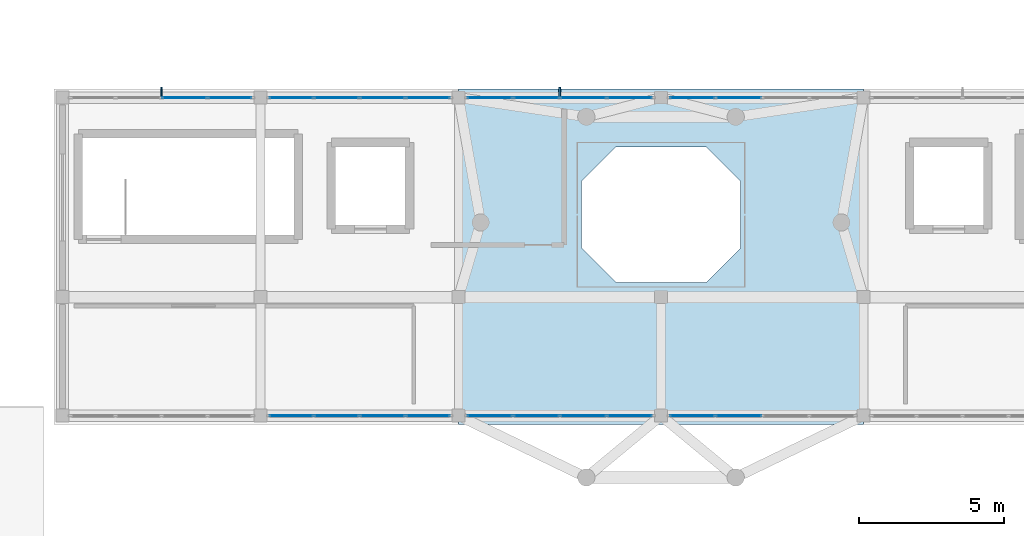
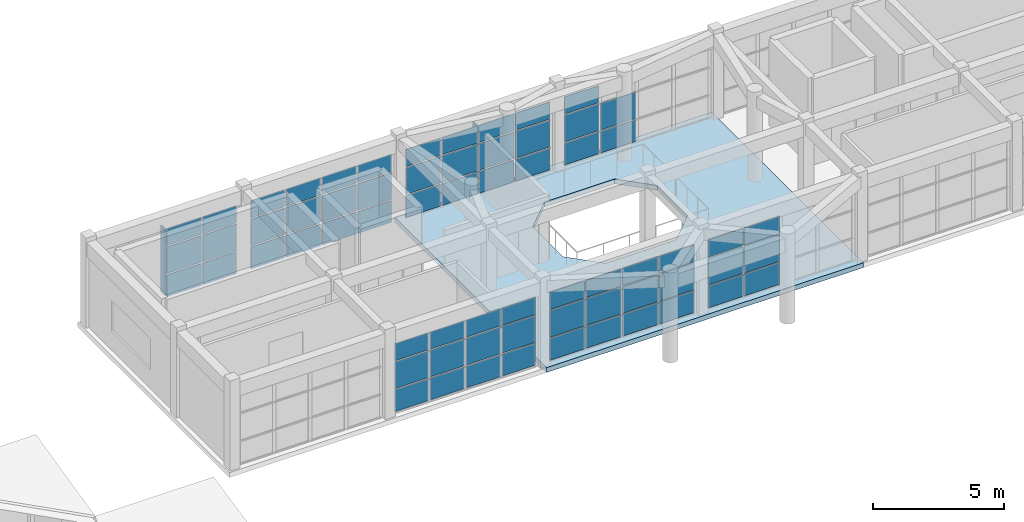
# One storey, part 38 of 66: 67 plates, 1 slab, 7 elements without a shape of their own.
"""IFC4 building model written with IfcOpenShell, lengths in metres."""

import ifcopenshell
import ifcopenshell.guid

model = None  # the IFC model being written
_history = None  # IfcOwnerHistory: only IFC2X3 demands one
_inside = {}  # id of a spatial element -> (the spatial element, [elements in it])
_under = {}  # id of a project, library or spatial element -> (it, [spatial elements below it])
_declared = {}  # id of a project -> (the project, [libraries it declares])
_typed = {}  # id of a type object -> (the type object, [elements of that type])
_made_of = {}  # id of a material, layer set ... -> (it, [elements and type objects made of it])


def new_model(schema):
    """Start an empty IFC model of exactly this schema.

    Asked for "IFC4X3", IfcOpenShell would pick the latest addendum, in which some entities
    have other attributes; the version numbers below select the first issue.
    IFC2X3 requires an IfcOwnerHistory on every rooted entity: one is made here for all.
    """
    global model, _history
    if schema == "IFC4X3":
        model = ifcopenshell.file(schema_version=(4, 3, 0, 0))
    else:
        model = ifcopenshell.file(schema=schema)
    _inside.clear()
    _under.clear()
    _declared.clear()
    _typed.clear()
    _made_of.clear()
    _history = None
    if model.schema == "IFC2X3":
        org = make("IfcOrganization", Name="unknown")
        user = make(
            "IfcPersonAndOrganization",
            ThePerson=make("IfcPerson", FamilyName="unknown"),
            TheOrganization=org,
        )
        app = make(
            "IfcApplication",
            ApplicationDeveloper=org,
            Version="unknown",
            ApplicationFullName="unknown",
            ApplicationIdentifier="unknown",
        )
        _history = make(
            "IfcOwnerHistory",
            OwningUser=user,
            OwningApplication=app,
            ChangeAction="ADDED",
            CreationDate=0,
        )
    return model


def make(cls, **values):
    """One entity of the class cls with the attributes given. An attribute that is None is left unset."""
    return model.create_entity(
        cls, **{name: value for name, value in values.items() if value is not None}
    )


def rooted(cls, **values):
    """An entity with a GlobalId (a new one), such as an element, a storey or a relation."""
    return make(cls, GlobalId=ifcopenshell.guid.new(), OwnerHistory=_history, **values)


def si_unit(unit_type, name, prefix=None):
    """IfcSIUnit, for example si_unit("LENGTHUNIT", "METRE", prefix="MILLI")."""
    return make("IfcSIUnit", UnitType=unit_type, Prefix=prefix, Name=name)


def assignment(units):
    """IfcUnitAssignment: the units of a project."""
    return None if units is None else make("IfcUnitAssignment", Units=units)


def point(xyz):
    """IfcCartesianPoint."""
    return None if xyz is None else make("IfcCartesianPoint", Coordinates=xyz)


def direction(xyz):
    """IfcDirection."""
    return None if xyz is None else make("IfcDirection", DirectionRatios=xyz)


def frame(location, z_axis=None, x_axis=None):
    """IfcAxis2Placement3D, a coordinate frame: its origin and axes. An axis left out is left unset."""
    return make(
        "IfcAxis2Placement3D",
        Location=point(location),
        Axis=direction(z_axis),
        RefDirection=direction(x_axis),
    )


def frame_2d(location, x_axis=None):
    """IfcAxis2Placement2D, a coordinate frame in the plane: its origin and x axis."""
    return make(
        "IfcAxis2Placement2D", Location=point(location), RefDirection=direction(x_axis)
    )


def origin():
    """The frame at (0, 0, 0) with its axes left unset."""
    return frame((0.0, 0.0, 0.0))


def origin_2d():
    """The frame at (0, 0) in the plane with its x axis left unset."""
    return frame_2d((0.0, 0.0))


def place(relative_to, where):
    """IfcLocalPlacement: puts the frame where relative to a parent placement (None: the world)."""
    return make(
        "IfcLocalPlacement", PlacementRelTo=relative_to, RelativePlacement=where
    )


def context(
    kind, dimensions, precision=None, world=None, true_north=None, identifier=None
):
    """IfcGeometricRepresentationContext, for example the 3D "Model" context."""
    return make(
        "IfcGeometricRepresentationContext",
        ContextIdentifier=identifier,
        ContextType=kind,
        CoordinateSpaceDimension=dimensions,
        Precision=precision,
        WorldCoordinateSystem=world,
        TrueNorth=true_north,
    )


def subcontext(parent, identifier, kind, view, scale=None):
    """IfcGeometricRepresentationSubContext, for example "Body" below "Model"."""
    return make(
        "IfcGeometricRepresentationSubContext",
        ContextIdentifier=identifier,
        ContextType=kind,
        ParentContext=parent,
        TargetScale=scale,
        TargetView=view,
    )


def project(units=None, contexts=None):
    """IfcProject with its units and contexts."""
    return rooted(
        "IfcProject",
        Name="project",
        RepresentationContexts=contexts,
        UnitsInContext=assignment(units),
    )


def spatial(cls, under=None, at=None, **own):
    """A site, building, storey or space (cls), placed at a placement, below another one or the project."""
    s = rooted(cls, ObjectPlacement=at, **own)
    if under is not None:
        _under.setdefault(under.id(), (under, []))[1].append(s)
    return s


def polyline(points):
    """IfcPolyline through the points."""
    return make("IfcPolyline", Points=[point(p) for p in points])


def profile(cls, at=None, kind="AREA", **sizes):
    """A parametric profile (cls). Its sizes go by their IFC names, for example OverallWidth=200.0."""
    return make(cls, ProfileType=kind, Position=at, **sizes)


def rectangle(**sizes):
    """IfcRectangleProfileDef."""
    return profile("IfcRectangleProfileDef", **sizes)


def outline(outer, holes=None, kind="AREA"):
    """IfcArbitraryClosedProfileDef: a profile drawn as a closed curve; with holes, ...WithVoids."""
    if holes is None:
        return make("IfcArbitraryClosedProfileDef", ProfileType=kind, OuterCurve=outer)
    return make(
        "IfcArbitraryProfileDefWithVoids",
        ProfileType=kind,
        OuterCurve=outer,
        InnerCurves=holes,
    )


def extrude(swept, where, along, depth):
    """IfcExtrudedAreaSolid: the profile swept, set in the frame where, extruded along a direction by depth."""
    return make(
        "IfcExtrudedAreaSolid",
        SweptArea=swept,
        Position=where,
        ExtrudedDirection=direction(along),
        Depth=depth,
    )


def shape(context_of_items, identifier, shape_type, items):
    """IfcShapeRepresentation: the items that make up one representation, for example the "Body"."""
    return make(
        "IfcShapeRepresentation",
        ContextOfItems=context_of_items,
        RepresentationIdentifier=identifier,
        RepresentationType=shape_type,
        Items=items,
    )


def material(Name=None, Category=None):
    """IfcMaterial."""
    return make("IfcMaterial", Name=Name, Category=Category)


def layer(
    of_material, thickness, ventilated=None, Name=None, Category=None, Priority=None
):
    """IfcMaterialLayer: one layer of a wall or slab, of a material (None: an air gap)."""
    return make(
        "IfcMaterialLayer",
        Material=of_material,
        LayerThickness=thickness,
        IsVentilated=ventilated,
        Name=Name,
        Category=Category,
        Priority=Priority,
    )


def layer_set(layers, Name=None):
    """IfcMaterialLayerSet."""
    return make("IfcMaterialLayerSet", MaterialLayers=layers, LayerSetName=Name)


def made_of(thing, what):
    """Note that an element or type object is made of a material, layer set ...; save() writes the relation."""
    if what is not None:
        _made_of.setdefault(what.id(), (what, []))[1].append(thing)
    return thing


def type_object(cls, material=None, **own):
    """A type object (cls), such as IfcWallType, which elements share."""
    return made_of(rooted(cls, **own), material)


def element(
    cls,
    number,
    at=None,
    inside=None,
    cuts=None,
    type_object=None,
    material=None,
    context=None,
    identifier="Body",
    shape_type=None,
    held_by="IfcProductDefinitionShape",
    body=None,
    shapes=None,
    **own,
):
    """One element of the class cls, such as IfcWall. Its Tag is "e" and its number.

    at: its placement. inside: the storey or other place that contains it. cuts: it is an
    opening in that element (IfcRelVoidsElement). A single representation is given by context,
    identifier, shape_type and body (its items); several are given by shapes. held_by: the class
    of the entity that holds the representations. save() writes the other relations.
    """
    e = rooted(cls, Tag="e%d" % number, ObjectPlacement=at, **own)
    if body is not None:
        shapes = [shape(context, identifier, shape_type, body)]
    if shapes is not None:
        e.Representation = make(held_by, Representations=shapes)
    if inside is not None:
        _inside.setdefault(inside.id(), (inside, []))[1].append(e)
    if cuts is not None:
        rooted(
            "IfcRelVoidsElement", RelatingBuildingElement=cuts, RelatedOpeningElement=e
        )
    if type_object is not None:
        _typed.setdefault(type_object.id(), (type_object, []))[1].append(e)
    return made_of(e, material)


def aggregate(whole, parts):
    """IfcRelAggregates: a whole, such as a stair, and the parts it consists of."""
    return rooted("IfcRelAggregates", RelatingObject=whole, RelatedObjects=parts)


def save(model, path):
    """Write the relations noted so far, then the file.

    IfcRelAggregates (storeys below a building ...), IfcRelContainedInSpatialStructure (elements
    in a storey), IfcRelDefinesByType, IfcRelAssociatesMaterial and IfcRelDeclares: one each for
    every whole, place, type object, material and project.
    """
    for whole, parts in _under.values():
        aggregate(whole, parts)
    for where, things in _inside.values():
        rooted(
            "IfcRelContainedInSpatialStructure",
            RelatedElements=things,
            RelatingStructure=where,
        )
    for kind, things in _typed.values():
        rooted("IfcRelDefinesByType", RelatedObjects=things, RelatingType=kind)
    for what, things in _made_of.values():
        rooted("IfcRelAssociatesMaterial", RelatedObjects=things, RelatingMaterial=what)
    for by, libraries in _declared.values():
        rooted("IfcRelDeclares", RelatingContext=by, RelatedDefinitions=libraries)
    model.write(path)


model = new_model("IFC4")

# Units and contexts
model_context = context("Model", 3, precision=1e-05, world=origin(), true_north=direction((0.0, 1.0)))
body_context = subcontext(model_context, "Body", "Model", "MODEL_VIEW")
ifc_project = project(units=[si_unit("LENGTHUNIT", "METRE"), si_unit("AREAUNIT", "SQUARE_METRE"), si_unit("VOLUMEUNIT", "CUBIC_METRE"), si_unit("PLANEANGLEUNIT", "RADIAN"), si_unit("MASSUNIT", "GRAM", prefix="KILO")], contexts=[model_context])

# Site, building, storey
site_placement = place(None, origin())
site = spatial("IfcSite", under=ifc_project, at=site_placement, CompositionType="ELEMENT")
building_placement = place(site_placement, origin())
building = spatial("IfcBuilding", under=site, at=building_placement, Name="Candilejo Ridge Gondola Terminal", CompositionType="ELEMENT")
storey_placement = place(building_placement, frame((0.0, 0.0, 14.39990234375)))
storey = spatial("IfcBuildingStorey", under=building, at=storey_placement, Name="L03", CompositionType="ELEMENT", Elevation=14.39990234375)

# Curtain wall, plates
ifc_material_1 = material(Name="Anodised aluminium AA 6063-T6", Category="aluminium")
ifc_layer_1 = layer(ifc_material_1, 0.169921875)
ifc_layer_set_1 = layer_set([ifc_layer_1], Name="ARC-CW-DRUM-3400-635X329")
curtain_wall_type_1 = type_object("IfcCurtainWallType", Name="ARC-CW-DRUM-3400-635X329", PredefinedType="NOTDEFINED", material=ifc_layer_set_1)
curtain_wall_1_placement = place(storey_placement, origin())
curtain_wall_1 = element("IfcCurtainWall", 1, at=curtain_wall_1_placement, inside=storey, type_object=curtain_wall_type_1, Name="Curtain wall V2 L03-058", PredefinedType="NOTDEFINED")
ifc_material_2 = material(Name="Low-E laminated double glazing 6+12A+6+1.52PVB+6 mm", Category="glass")
ifc_layer_2 = layer(ifc_material_2, 0.028076171875)
ifc_layer_set_2 = layer_set([ifc_layer_2], Name="ARC-CW-GLAZ-PANEL")
plate_type_1 = type_object("IfcPlateType", Name="ARC-CW-GLAZ-PANEL", PredefinedType="CURTAIN_PANEL", material=ifc_layer_set_2)
plate_1_placement = place(storey_placement, frame((48.86865234375, 36.699951171875, 0.06005859375), z_axis=(0.0, 0.0, 1.0), x_axis=(1.0, 0.0, 0.0)))
plate_1 = element("IfcPlate", 2, at=plate_1_placement, type_object=plate_type_1, Name="CW-63X32 panel 3.1", PredefinedType="CURTAIN_PANEL", context=body_context, shape_type="SweptSolid", body=[
    extrude(rectangle(XDim=1.5224609375, YDim=0.028076171875, at=origin_2d()), origin(), (0.0, 0.0, 1.0), 1.010009765625),
])
plate_2_placement = place(storey_placement, frame((48.86865234375, 36.699951171875, 1.1298828125), z_axis=(0.0, 0.0, 1.0), x_axis=(1.0, 0.0, 0.0)))
plate_2 = element("IfcPlate", 3, at=plate_2_placement, type_object=plate_type_1, Name="CW-63X32 panel 3.2", PredefinedType="CURTAIN_PANEL", context=body_context, shape_type="SweptSolid", body=[
    extrude(rectangle(XDim=1.5224609375, YDim=0.028076171875, at=origin_2d()), origin(), (0.0, 0.0, 1.0), 1.239990234375),
])
plate_3_placement = place(storey_placement, frame((48.86865234375, 36.699951171875, 2.43017578125), z_axis=(0.0, 0.0, 1.0), x_axis=(1.0, 0.0, 0.0)))
plate_3 = element("IfcPlate", 4, at=plate_3_placement, type_object=plate_type_1, Name="CW-63X32 panel 3.3", PredefinedType="CURTAIN_PANEL", context=body_context, shape_type="SweptSolid", body=[
    extrude(rectangle(XDim=1.5224609375, YDim=0.028076171875, at=origin_2d()), origin(), (0.0, 0.0, 1.0), 0.800048828125),
])
plate_4_placement = place(storey_placement, frame((50.43994140625, 36.699951171875, 0.06005859375), z_axis=(0.0, 0.0, 1.0), x_axis=(1.0, 0.0, 0.0)))
plate_4 = element("IfcPlate", 5, at=plate_4_placement, type_object=plate_type_1, Name="CW-63X32 panel 4.1", PredefinedType="CURTAIN_PANEL", context=body_context, shape_type="SweptSolid", body=[
    extrude(rectangle(XDim=1.489990234375, YDim=0.028076171875, at=origin_2d()), origin(), (0.0, 0.0, 1.0), 1.010009765625),
])
plate_5_placement = place(storey_placement, frame((50.43994140625, 36.699951171875, 1.1298828125), z_axis=(0.0, 0.0, 1.0), x_axis=(1.0, 0.0, 0.0)))
plate_5 = element("IfcPlate", 6, at=plate_5_placement, type_object=plate_type_1, Name="CW-63X32 panel 4.2", PredefinedType="CURTAIN_PANEL", context=body_context, shape_type="SweptSolid", body=[
    extrude(rectangle(XDim=1.489990234375, YDim=0.028076171875, at=origin_2d()), origin(), (0.0, 0.0, 1.0), 1.239990234375),
])
plate_6_placement = place(storey_placement, frame((50.43994140625, 36.699951171875, 2.43017578125), z_axis=(0.0, 0.0, 1.0), x_axis=(1.0, 0.0, 0.0)))
plate_6 = element("IfcPlate", 7, at=plate_6_placement, type_object=plate_type_1, Name="CW-63X32 panel 4.3", PredefinedType="CURTAIN_PANEL", context=body_context, shape_type="SweptSolid", body=[
    extrude(rectangle(XDim=1.489990234375, YDim=0.028076171875, at=origin_2d()), origin(), (0.0, 0.0, 1.0), 0.800048828125),
])
aggregate(curtain_wall_1, [plate_1, plate_2, plate_3, plate_4, plate_5, plate_6])

curtain_wall_2_placement = place(storey_placement, origin())
curtain_wall_2 = element("IfcCurtainWall", 8, at=curtain_wall_2_placement, inside=storey, type_object=curtain_wall_type_1, Name="Curtain wall V2 L03-060", PredefinedType="NOTDEFINED")
plate_7_placement = place(storey_placement, frame((52.56005859375, 36.699951171875, 0.06005859375), z_axis=(0.0, 0.0, 1.0), x_axis=(1.0, 0.0, 0.0)))
plate_7 = element("IfcPlate", 9, at=plate_7_placement, type_object=plate_type_1, Name="CW-63X32 panel 1.1", PredefinedType="CURTAIN_PANEL", context=body_context, shape_type="SweptSolid", body=[
    extrude(rectangle(XDim=1.489990234375, YDim=0.028076171875, at=origin_2d()), origin(), (0.0, 0.0, 1.0), 1.010009765625),
])
plate_8_placement = place(storey_placement, frame((52.56005859375, 36.699951171875, 1.1298828125), z_axis=(0.0, 0.0, 1.0), x_axis=(1.0, 0.0, 0.0)))
plate_8 = element("IfcPlate", 10, at=plate_8_placement, type_object=plate_type_1, Name="CW-63X32 panel 1.2", PredefinedType="CURTAIN_PANEL", context=body_context, shape_type="SweptSolid", body=[
    extrude(rectangle(XDim=1.489990234375, YDim=0.028076171875, at=origin_2d()), origin(), (0.0, 0.0, 1.0), 1.239990234375),
])
plate_9_placement = place(storey_placement, frame((52.56005859375, 36.699951171875, 2.43017578125), z_axis=(0.0, 0.0, 1.0), x_axis=(1.0, 0.0, 0.0)))
plate_9 = element("IfcPlate", 11, at=plate_9_placement, type_object=plate_type_1, Name="CW-63X32 panel 1.3", PredefinedType="CURTAIN_PANEL", context=body_context, shape_type="SweptSolid", body=[
    extrude(rectangle(XDim=1.489990234375, YDim=0.028076171875, at=origin_2d()), origin(), (0.0, 0.0, 1.0), 0.800048828125),
])
plate_10_placement = place(storey_placement, frame((54.13134765625, 36.699951171875, 0.06005859375), z_axis=(0.0, 0.0, 1.0), x_axis=(1.0, 0.0, 0.0)))
plate_10 = element("IfcPlate", 12, at=plate_10_placement, type_object=plate_type_1, Name="CW-63X32 panel 2.1", PredefinedType="CURTAIN_PANEL", context=body_context, shape_type="SweptSolid", body=[
    extrude(rectangle(XDim=1.5224609375, YDim=0.028076171875, at=origin_2d()), origin(), (0.0, 0.0, 1.0), 1.010009765625),
])
plate_11_placement = place(storey_placement, frame((54.13134765625, 36.699951171875, 1.1298828125), z_axis=(0.0, 0.0, 1.0), x_axis=(1.0, 0.0, 0.0)))
plate_11 = element("IfcPlate", 13, at=plate_11_placement, type_object=plate_type_1, Name="CW-63X32 panel 2.2", PredefinedType="CURTAIN_PANEL", context=body_context, shape_type="SweptSolid", body=[
    extrude(rectangle(XDim=1.5224609375, YDim=0.028076171875, at=origin_2d()), origin(), (0.0, 0.0, 1.0), 1.239990234375),
])
plate_12_placement = place(storey_placement, frame((54.13134765625, 36.699951171875, 2.43017578125), z_axis=(0.0, 0.0, 1.0), x_axis=(1.0, 0.0, 0.0)))
plate_12 = element("IfcPlate", 14, at=plate_12_placement, type_object=plate_type_1, Name="CW-63X32 panel 2.3", PredefinedType="CURTAIN_PANEL", context=body_context, shape_type="SweptSolid", body=[
    extrude(rectangle(XDim=1.5224609375, YDim=0.028076171875, at=origin_2d()), origin(), (0.0, 0.0, 1.0), 0.800048828125),
])
plate_13_placement = place(storey_placement, frame((55.71875, 36.699951171875, 0.06005859375), z_axis=(0.0, 0.0, 1.0), x_axis=(1.0, 0.0, 0.0)))
plate_13 = element("IfcPlate", 15, at=plate_13_placement, type_object=plate_type_1, Name="CW-63X32 panel 3.1", PredefinedType="CURTAIN_PANEL", context=body_context, shape_type="SweptSolid", body=[
    extrude(rectangle(XDim=1.5224609375, YDim=0.028076171875, at=origin_2d()), origin(), (0.0, 0.0, 1.0), 1.010009765625),
])
plate_14_placement = place(storey_placement, frame((55.71875, 36.699951171875, 1.1298828125), z_axis=(0.0, 0.0, 1.0), x_axis=(1.0, 0.0, 0.0)))
plate_14 = element("IfcPlate", 16, at=plate_14_placement, type_object=plate_type_1, Name="CW-63X32 panel 3.2", PredefinedType="CURTAIN_PANEL", context=body_context, shape_type="SweptSolid", body=[
    extrude(rectangle(XDim=1.5224609375, YDim=0.028076171875, at=origin_2d()), origin(), (0.0, 0.0, 1.0), 1.239990234375),
])
plate_15_placement = place(storey_placement, frame((55.71875, 36.699951171875, 2.43017578125), z_axis=(0.0, 0.0, 1.0), x_axis=(1.0, 0.0, 0.0)))
plate_15 = element("IfcPlate", 17, at=plate_15_placement, type_object=plate_type_1, Name="CW-63X32 panel 3.3", PredefinedType="CURTAIN_PANEL", context=body_context, shape_type="SweptSolid", body=[
    extrude(rectangle(XDim=1.5224609375, YDim=0.028076171875, at=origin_2d()), origin(), (0.0, 0.0, 1.0), 0.800048828125),
])
plate_16_placement = place(storey_placement, frame((57.2900390625, 36.699951171875, 0.06005859375), z_axis=(0.0, 0.0, 1.0), x_axis=(1.0, 0.0, 0.0)))
plate_16 = element("IfcPlate", 18, at=plate_16_placement, type_object=plate_type_1, Name="CW-63X32 panel 4.1", PredefinedType="CURTAIN_PANEL", context=body_context, shape_type="SweptSolid", body=[
    extrude(rectangle(XDim=1.489990234375, YDim=0.028076171875, at=origin_2d()), origin(), (0.0, 0.0, 1.0), 1.010009765625),
])
plate_17_placement = place(storey_placement, frame((57.2900390625, 36.699951171875, 1.1298828125), z_axis=(0.0, 0.0, 1.0), x_axis=(1.0, 0.0, 0.0)))
plate_17 = element("IfcPlate", 19, at=plate_17_placement, type_object=plate_type_1, Name="CW-63X32 panel 4.2", PredefinedType="CURTAIN_PANEL", context=body_context, shape_type="SweptSolid", body=[
    extrude(rectangle(XDim=1.489990234375, YDim=0.028076171875, at=origin_2d()), origin(), (0.0, 0.0, 1.0), 1.239990234375),
])
plate_18_placement = place(storey_placement, frame((57.2900390625, 36.699951171875, 2.43017578125), z_axis=(0.0, 0.0, 1.0), x_axis=(1.0, 0.0, 0.0)))
plate_18 = element("IfcPlate", 20, at=plate_18_placement, type_object=plate_type_1, Name="CW-63X32 panel 4.3", PredefinedType="CURTAIN_PANEL", context=body_context, shape_type="SweptSolid", body=[
    extrude(rectangle(XDim=1.489990234375, YDim=0.028076171875, at=origin_2d()), origin(), (0.0, 0.0, 1.0), 0.800048828125),
])
aggregate(curtain_wall_2, [plate_7, plate_8, plate_9, plate_10, plate_11, plate_12, plate_13, plate_14, plate_15, plate_16, plate_17, plate_18])

curtain_wall_3_placement = place(storey_placement, origin())
curtain_wall_3 = element("IfcCurtainWall", 21, at=curtain_wall_3_placement, inside=storey, type_object=curtain_wall_type_1, Name="Curtain wall V2 L03-061", PredefinedType="NOTDEFINED")
plate_19_placement = place(storey_placement, frame((52.56005859375, 25.699951171875, 0.06005859375), z_axis=(0.0, 0.0, 1.0), x_axis=(1.0, 0.0, 0.0)))
plate_19 = element("IfcPlate", 22, at=plate_19_placement, type_object=plate_type_1, Name="CW-63X32 panel 1.1", PredefinedType="CURTAIN_PANEL", context=body_context, shape_type="SweptSolid", body=[
    extrude(rectangle(XDim=1.489990234375, YDim=0.028076171875, at=origin_2d()), origin(), (0.0, 0.0, 1.0), 1.010009765625),
])
plate_20_placement = place(storey_placement, frame((52.56005859375, 25.699951171875, 1.1298828125), z_axis=(0.0, 0.0, 1.0), x_axis=(1.0, 0.0, 0.0)))
plate_20 = element("IfcPlate", 23, at=plate_20_placement, type_object=plate_type_1, Name="CW-63X32 panel 1.2", PredefinedType="CURTAIN_PANEL", context=body_context, shape_type="SweptSolid", body=[
    extrude(rectangle(XDim=1.489990234375, YDim=0.028076171875, at=origin_2d()), origin(), (0.0, 0.0, 1.0), 1.239990234375),
])
plate_21_placement = place(storey_placement, frame((52.56005859375, 25.699951171875, 2.43017578125), z_axis=(0.0, 0.0, 1.0), x_axis=(1.0, 0.0, 0.0)))
plate_21 = element("IfcPlate", 24, at=plate_21_placement, type_object=plate_type_1, Name="CW-63X32 panel 1.3", PredefinedType="CURTAIN_PANEL", context=body_context, shape_type="SweptSolid", body=[
    extrude(rectangle(XDim=1.489990234375, YDim=0.028076171875, at=origin_2d()), origin(), (0.0, 0.0, 1.0), 0.800048828125),
])
plate_22_placement = place(storey_placement, frame((54.13134765625, 25.699951171875, 0.06005859375), z_axis=(0.0, 0.0, 1.0), x_axis=(1.0, 0.0, 0.0)))
plate_22 = element("IfcPlate", 25, at=plate_22_placement, type_object=plate_type_1, Name="CW-63X32 panel 2.1", PredefinedType="CURTAIN_PANEL", context=body_context, shape_type="SweptSolid", body=[
    extrude(rectangle(XDim=1.5224609375, YDim=0.028076171875, at=origin_2d()), origin(), (0.0, 0.0, 1.0), 1.010009765625),
])
plate_23_placement = place(storey_placement, frame((54.13134765625, 25.699951171875, 1.1298828125), z_axis=(0.0, 0.0, 1.0), x_axis=(1.0, 0.0, 0.0)))
plate_23 = element("IfcPlate", 26, at=plate_23_placement, type_object=plate_type_1, Name="CW-63X32 panel 2.2", PredefinedType="CURTAIN_PANEL", context=body_context, shape_type="SweptSolid", body=[
    extrude(rectangle(XDim=1.5224609375, YDim=0.028076171875, at=origin_2d()), origin(), (0.0, 0.0, 1.0), 1.239990234375),
])
plate_24_placement = place(storey_placement, frame((54.13134765625, 25.699951171875, 2.43017578125), z_axis=(0.0, 0.0, 1.0), x_axis=(1.0, 0.0, 0.0)))
plate_24 = element("IfcPlate", 27, at=plate_24_placement, type_object=plate_type_1, Name="CW-63X32 panel 2.3", PredefinedType="CURTAIN_PANEL", context=body_context, shape_type="SweptSolid", body=[
    extrude(rectangle(XDim=1.5224609375, YDim=0.028076171875, at=origin_2d()), origin(), (0.0, 0.0, 1.0), 0.800048828125),
])
plate_25_placement = place(storey_placement, frame((55.71875, 25.699951171875, 0.06005859375), z_axis=(0.0, 0.0, 1.0), x_axis=(1.0, 0.0, 0.0)))
plate_25 = element("IfcPlate", 28, at=plate_25_placement, type_object=plate_type_1, Name="CW-63X32 panel 3.1", PredefinedType="CURTAIN_PANEL", context=body_context, shape_type="SweptSolid", body=[
    extrude(rectangle(XDim=1.5224609375, YDim=0.028076171875, at=origin_2d()), origin(), (0.0, 0.0, 1.0), 1.010009765625),
])
plate_26_placement = place(storey_placement, frame((55.71875, 25.699951171875, 1.1298828125), z_axis=(0.0, 0.0, 1.0), x_axis=(1.0, 0.0, 0.0)))
plate_26 = element("IfcPlate", 29, at=plate_26_placement, type_object=plate_type_1, Name="CW-63X32 panel 3.2", PredefinedType="CURTAIN_PANEL", context=body_context, shape_type="SweptSolid", body=[
    extrude(rectangle(XDim=1.5224609375, YDim=0.028076171875, at=origin_2d()), origin(), (0.0, 0.0, 1.0), 1.239990234375),
])
plate_27_placement = place(storey_placement, frame((55.71875, 25.699951171875, 2.43017578125), z_axis=(0.0, 0.0, 1.0), x_axis=(1.0, 0.0, 0.0)))
plate_27 = element("IfcPlate", 30, at=plate_27_placement, type_object=plate_type_1, Name="CW-63X32 panel 3.3", PredefinedType="CURTAIN_PANEL", context=body_context, shape_type="SweptSolid", body=[
    extrude(rectangle(XDim=1.5224609375, YDim=0.028076171875, at=origin_2d()), origin(), (0.0, 0.0, 1.0), 0.800048828125),
])
plate_28_placement = place(storey_placement, frame((57.2900390625, 25.699951171875, 0.06005859375), z_axis=(0.0, 0.0, 1.0), x_axis=(1.0, 0.0, 0.0)))
plate_28 = element("IfcPlate", 31, at=plate_28_placement, type_object=plate_type_1, Name="CW-63X32 panel 4.1", PredefinedType="CURTAIN_PANEL", context=body_context, shape_type="SweptSolid", body=[
    extrude(rectangle(XDim=1.489990234375, YDim=0.028076171875, at=origin_2d()), origin(), (0.0, 0.0, 1.0), 1.010009765625),
])
plate_29_placement = place(storey_placement, frame((57.2900390625, 25.699951171875, 1.1298828125), z_axis=(0.0, 0.0, 1.0), x_axis=(1.0, 0.0, 0.0)))
plate_29 = element("IfcPlate", 32, at=plate_29_placement, type_object=plate_type_1, Name="CW-63X32 panel 4.2", PredefinedType="CURTAIN_PANEL", context=body_context, shape_type="SweptSolid", body=[
    extrude(rectangle(XDim=1.489990234375, YDim=0.028076171875, at=origin_2d()), origin(), (0.0, 0.0, 1.0), 1.239990234375),
])
plate_30_placement = place(storey_placement, frame((57.2900390625, 25.699951171875, 2.43017578125), z_axis=(0.0, 0.0, 1.0), x_axis=(1.0, 0.0, 0.0)))
plate_30 = element("IfcPlate", 33, at=plate_30_placement, type_object=plate_type_1, Name="CW-63X32 panel 4.3", PredefinedType="CURTAIN_PANEL", context=body_context, shape_type="SweptSolid", body=[
    extrude(rectangle(XDim=1.489990234375, YDim=0.028076171875, at=origin_2d()), origin(), (0.0, 0.0, 1.0), 0.800048828125),
])
aggregate(curtain_wall_3, [plate_19, plate_20, plate_21, plate_22, plate_23, plate_24, plate_25, plate_26, plate_27, plate_28, plate_29, plate_30])

ifc_material_3 = material(Name="Anodised aluminium AA 6063-T6", Category="aluminium")
ifc_layer_3 = layer(ifc_material_3, 0.169921875)
ifc_layer_set_3 = layer_set([ifc_layer_3], Name="ARC-CW-DRUM-3400-650X329")
curtain_wall_type_2 = type_object("IfcCurtainWallType", Name="ARC-CW-DRUM-3400-650X329", PredefinedType="NOTDEFINED", material=ifc_layer_set_3)
curtain_wall_4_placement = place(storey_placement, origin())
curtain_wall_4 = element("IfcCurtainWall", 34, at=curtain_wall_4_placement, inside=storey, type_object=curtain_wall_type_2, Name="Curtain wall V2 L03-062", PredefinedType="NOTDEFINED")
plate_31_placement = place(storey_placement, frame((59.4287109375, 36.699951171875, 0.06005859375), z_axis=(0.0, 0.0, 1.0), x_axis=(1.0, 0.0, 0.0)))
plate_31 = element("IfcPlate", 35, at=plate_31_placement, type_object=plate_type_1, Name="CW-65X32 panel 1.1", PredefinedType="CURTAIN_PANEL", context=body_context, shape_type="SweptSolid", body=[
    extrude(rectangle(XDim=1.527587890625, YDim=0.028076171875, at=origin_2d()), origin(), (0.0, 0.0, 1.0), 1.010009765625),
])
plate_32_placement = place(storey_placement, frame((59.4287109375, 36.699951171875, 1.1298828125), z_axis=(0.0, 0.0, 1.0), x_axis=(1.0, 0.0, 0.0)))
plate_32 = element("IfcPlate", 36, at=plate_32_placement, type_object=plate_type_1, Name="CW-65X32 panel 1.2", PredefinedType="CURTAIN_PANEL", context=body_context, shape_type="SweptSolid", body=[
    extrude(rectangle(XDim=1.527587890625, YDim=0.028076171875, at=origin_2d()), origin(), (0.0, 0.0, 1.0), 1.239990234375),
])
plate_33_placement = place(storey_placement, frame((59.4287109375, 36.699951171875, 2.43017578125), z_axis=(0.0, 0.0, 1.0), x_axis=(1.0, 0.0, 0.0)))
plate_33 = element("IfcPlate", 37, at=plate_33_placement, type_object=plate_type_1, Name="CW-65X32 panel 1.3", PredefinedType="CURTAIN_PANEL", context=body_context, shape_type="SweptSolid", body=[
    extrude(rectangle(XDim=1.527587890625, YDim=0.028076171875, at=origin_2d()), origin(), (0.0, 0.0, 1.0), 0.800048828125),
])
plate_34_placement = place(storey_placement, frame((61.03759765625, 36.699951171875, 0.06005859375), z_axis=(0.0, 0.0, 1.0), x_axis=(1.0, 0.0, 0.0)))
plate_34 = element("IfcPlate", 38, at=plate_34_placement, type_object=plate_type_1, Name="CW-65X32 panel 2.1", PredefinedType="CURTAIN_PANEL", context=body_context, shape_type="SweptSolid", body=[
    extrude(rectangle(XDim=1.56005859375, YDim=0.028076171875, at=origin_2d()), origin(), (0.0, 0.0, 1.0), 1.010009765625),
])
plate_35_placement = place(storey_placement, frame((61.03759765625, 36.699951171875, 1.1298828125), z_axis=(0.0, 0.0, 1.0), x_axis=(1.0, 0.0, 0.0)))
plate_35 = element("IfcPlate", 39, at=plate_35_placement, type_object=plate_type_1, Name="CW-65X32 panel 2.2", PredefinedType="CURTAIN_PANEL", context=body_context, shape_type="SweptSolid", body=[
    extrude(rectangle(XDim=1.56005859375, YDim=0.028076171875, at=origin_2d()), origin(), (0.0, 0.0, 1.0), 1.239990234375),
])
plate_36_placement = place(storey_placement, frame((61.03759765625, 36.699951171875, 2.43017578125), z_axis=(0.0, 0.0, 1.0), x_axis=(1.0, 0.0, 0.0)))
plate_36 = element("IfcPlate", 40, at=plate_36_placement, type_object=plate_type_1, Name="CW-65X32 panel 2.3", PredefinedType="CURTAIN_PANEL", context=body_context, shape_type="SweptSolid", body=[
    extrude(rectangle(XDim=1.56005859375, YDim=0.028076171875, at=origin_2d()), origin(), (0.0, 0.0, 1.0), 0.800048828125),
])
plate_37_placement = place(storey_placement, frame((62.66259765625, 36.699951171875, 0.06005859375), z_axis=(0.0, 0.0, 1.0), x_axis=(1.0, 0.0, 0.0)))
plate_37 = element("IfcPlate", 41, at=plate_37_placement, type_object=plate_type_1, Name="CW-65X32 panel 3.1", PredefinedType="CURTAIN_PANEL", context=body_context, shape_type="SweptSolid", body=[
    extrude(rectangle(XDim=1.56005859375, YDim=0.028076171875, at=origin_2d()), origin(), (0.0, 0.0, 1.0), 1.010009765625),
])
plate_38_placement = place(storey_placement, frame((62.66259765625, 36.699951171875, 1.1298828125), z_axis=(0.0, 0.0, 1.0), x_axis=(1.0, 0.0, 0.0)))
plate_38 = element("IfcPlate", 42, at=plate_38_placement, type_object=plate_type_1, Name="CW-65X32 panel 3.2", PredefinedType="CURTAIN_PANEL", context=body_context, shape_type="SweptSolid", body=[
    extrude(rectangle(XDim=1.56005859375, YDim=0.028076171875, at=origin_2d()), origin(), (0.0, 0.0, 1.0), 1.239990234375),
])
plate_39_placement = place(storey_placement, frame((62.66259765625, 36.699951171875, 2.43017578125), z_axis=(0.0, 0.0, 1.0), x_axis=(1.0, 0.0, 0.0)))
plate_39 = element("IfcPlate", 43, at=plate_39_placement, type_object=plate_type_1, Name="CW-65X32 panel 3.3", PredefinedType="CURTAIN_PANEL", context=body_context, shape_type="SweptSolid", body=[
    extrude(rectangle(XDim=1.56005859375, YDim=0.028076171875, at=origin_2d()), origin(), (0.0, 0.0, 1.0), 0.800048828125),
])
plate_40_placement = place(storey_placement, frame((64.271240234375, 36.699951171875, 0.06005859375), z_axis=(0.0, 0.0, 1.0), x_axis=(1.0, 0.0, 0.0)))
plate_40 = element("IfcPlate", 44, at=plate_40_placement, type_object=plate_type_1, Name="CW-65X32 panel 4.1", PredefinedType="CURTAIN_PANEL", context=body_context, shape_type="SweptSolid", body=[
    extrude(rectangle(XDim=1.527587890625, YDim=0.028076171875, at=origin_2d()), origin(), (0.0, 0.0, 1.0), 1.010009765625),
])
plate_41_placement = place(storey_placement, frame((64.271240234375, 36.699951171875, 1.1298828125), z_axis=(0.0, 0.0, 1.0), x_axis=(1.0, 0.0, 0.0)))
plate_41 = element("IfcPlate", 45, at=plate_41_placement, type_object=plate_type_1, Name="CW-65X32 panel 4.2", PredefinedType="CURTAIN_PANEL", context=body_context, shape_type="SweptSolid", body=[
    extrude(rectangle(XDim=1.527587890625, YDim=0.028076171875, at=origin_2d()), origin(), (0.0, 0.0, 1.0), 1.239990234375),
])
plate_42_placement = place(storey_placement, frame((64.271240234375, 36.699951171875, 2.43017578125), z_axis=(0.0, 0.0, 1.0), x_axis=(1.0, 0.0, 0.0)))
plate_42 = element("IfcPlate", 46, at=plate_42_placement, type_object=plate_type_1, Name="CW-65X32 panel 4.3", PredefinedType="CURTAIN_PANEL", context=body_context, shape_type="SweptSolid", body=[
    extrude(rectangle(XDim=1.527587890625, YDim=0.028076171875, at=origin_2d()), origin(), (0.0, 0.0, 1.0), 0.800048828125),
])
aggregate(curtain_wall_4, [plate_31, plate_32, plate_33, plate_34, plate_35, plate_36, plate_37, plate_38, plate_39, plate_40, plate_41, plate_42])

curtain_wall_5_placement = place(storey_placement, origin())
curtain_wall_5 = element("IfcCurtainWall", 47, at=curtain_wall_5_placement, inside=storey, type_object=curtain_wall_type_2, Name="Curtain wall V2 L03-063", PredefinedType="NOTDEFINED")
plate_43_placement = place(storey_placement, frame((59.4287109375, 25.699951171875, 0.06005859375), z_axis=(0.0, 0.0, 1.0), x_axis=(1.0, 0.0, 0.0)))
plate_43 = element("IfcPlate", 48, at=plate_43_placement, type_object=plate_type_1, Name="CW-65X32 panel 1.1", PredefinedType="CURTAIN_PANEL", context=body_context, shape_type="SweptSolid", body=[
    extrude(rectangle(XDim=1.527587890625, YDim=0.028076171875, at=origin_2d()), origin(), (0.0, 0.0, 1.0), 1.010009765625),
])
plate_44_placement = place(storey_placement, frame((59.4287109375, 25.699951171875, 1.1298828125), z_axis=(0.0, 0.0, 1.0), x_axis=(1.0, 0.0, 0.0)))
plate_44 = element("IfcPlate", 49, at=plate_44_placement, type_object=plate_type_1, Name="CW-65X32 panel 1.2", PredefinedType="CURTAIN_PANEL", context=body_context, shape_type="SweptSolid", body=[
    extrude(rectangle(XDim=1.527587890625, YDim=0.028076171875, at=origin_2d()), origin(), (0.0, 0.0, 1.0), 1.239990234375),
])
plate_45_placement = place(storey_placement, frame((59.4287109375, 25.699951171875, 2.43017578125), z_axis=(0.0, 0.0, 1.0), x_axis=(1.0, 0.0, 0.0)))
plate_45 = element("IfcPlate", 50, at=plate_45_placement, type_object=plate_type_1, Name="CW-65X32 panel 1.3", PredefinedType="CURTAIN_PANEL", context=body_context, shape_type="SweptSolid", body=[
    extrude(rectangle(XDim=1.527587890625, YDim=0.028076171875, at=origin_2d()), origin(), (0.0, 0.0, 1.0), 0.800048828125),
])
plate_46_placement = place(storey_placement, frame((61.03759765625, 25.699951171875, 0.06005859375), z_axis=(0.0, 0.0, 1.0), x_axis=(1.0, 0.0, 0.0)))
plate_46 = element("IfcPlate", 51, at=plate_46_placement, type_object=plate_type_1, Name="CW-65X32 panel 2.1", PredefinedType="CURTAIN_PANEL", context=body_context, shape_type="SweptSolid", body=[
    extrude(rectangle(XDim=1.56005859375, YDim=0.028076171875, at=origin_2d()), origin(), (0.0, 0.0, 1.0), 1.010009765625),
])
plate_47_placement = place(storey_placement, frame((61.03759765625, 25.699951171875, 1.1298828125), z_axis=(0.0, 0.0, 1.0), x_axis=(1.0, 0.0, 0.0)))
plate_47 = element("IfcPlate", 52, at=plate_47_placement, type_object=plate_type_1, Name="CW-65X32 panel 2.2", PredefinedType="CURTAIN_PANEL", context=body_context, shape_type="SweptSolid", body=[
    extrude(rectangle(XDim=1.56005859375, YDim=0.028076171875, at=origin_2d()), origin(), (0.0, 0.0, 1.0), 1.239990234375),
])
plate_48_placement = place(storey_placement, frame((61.03759765625, 25.699951171875, 2.43017578125), z_axis=(0.0, 0.0, 1.0), x_axis=(1.0, 0.0, 0.0)))
plate_48 = element("IfcPlate", 53, at=plate_48_placement, type_object=plate_type_1, Name="CW-65X32 panel 2.3", PredefinedType="CURTAIN_PANEL", context=body_context, shape_type="SweptSolid", body=[
    extrude(rectangle(XDim=1.56005859375, YDim=0.028076171875, at=origin_2d()), origin(), (0.0, 0.0, 1.0), 0.800048828125),
])
plate_49_placement = place(storey_placement, frame((62.66259765625, 25.699951171875, 0.06005859375), z_axis=(0.0, 0.0, 1.0), x_axis=(1.0, 0.0, 0.0)))
plate_49 = element("IfcPlate", 54, at=plate_49_placement, type_object=plate_type_1, Name="CW-65X32 panel 3.1", PredefinedType="CURTAIN_PANEL", context=body_context, shape_type="SweptSolid", body=[
    extrude(rectangle(XDim=1.56005859375, YDim=0.028076171875, at=origin_2d()), origin(), (0.0, 0.0, 1.0), 1.010009765625),
])
plate_50_placement = place(storey_placement, frame((62.66259765625, 25.699951171875, 1.1298828125), z_axis=(0.0, 0.0, 1.0), x_axis=(1.0, 0.0, 0.0)))
plate_50 = element("IfcPlate", 55, at=plate_50_placement, type_object=plate_type_1, Name="CW-65X32 panel 3.2", PredefinedType="CURTAIN_PANEL", context=body_context, shape_type="SweptSolid", body=[
    extrude(rectangle(XDim=1.56005859375, YDim=0.028076171875, at=origin_2d()), origin(), (0.0, 0.0, 1.0), 1.239990234375),
])
plate_51_placement = place(storey_placement, frame((62.66259765625, 25.699951171875, 2.43017578125), z_axis=(0.0, 0.0, 1.0), x_axis=(1.0, 0.0, 0.0)))
plate_51 = element("IfcPlate", 56, at=plate_51_placement, type_object=plate_type_1, Name="CW-65X32 panel 3.3", PredefinedType="CURTAIN_PANEL", context=body_context, shape_type="SweptSolid", body=[
    extrude(rectangle(XDim=1.56005859375, YDim=0.028076171875, at=origin_2d()), origin(), (0.0, 0.0, 1.0), 0.800048828125),
])
plate_52_placement = place(storey_placement, frame((64.271240234375, 25.699951171875, 0.06005859375), z_axis=(0.0, 0.0, 1.0), x_axis=(1.0, 0.0, 0.0)))
plate_52 = element("IfcPlate", 57, at=plate_52_placement, type_object=plate_type_1, Name="CW-65X32 panel 4.1", PredefinedType="CURTAIN_PANEL", context=body_context, shape_type="SweptSolid", body=[
    extrude(rectangle(XDim=1.527587890625, YDim=0.028076171875, at=origin_2d()), origin(), (0.0, 0.0, 1.0), 1.010009765625),
])
plate_53_placement = place(storey_placement, frame((64.271240234375, 25.699951171875, 1.1298828125), z_axis=(0.0, 0.0, 1.0), x_axis=(1.0, 0.0, 0.0)))
plate_53 = element("IfcPlate", 58, at=plate_53_placement, type_object=plate_type_1, Name="CW-65X32 panel 4.2", PredefinedType="CURTAIN_PANEL", context=body_context, shape_type="SweptSolid", body=[
    extrude(rectangle(XDim=1.527587890625, YDim=0.028076171875, at=origin_2d()), origin(), (0.0, 0.0, 1.0), 1.239990234375),
])
plate_54_placement = place(storey_placement, frame((64.271240234375, 25.699951171875, 2.43017578125), z_axis=(0.0, 0.0, 1.0), x_axis=(1.0, 0.0, 0.0)))
plate_54 = element("IfcPlate", 59, at=plate_54_placement, type_object=plate_type_1, Name="CW-65X32 panel 4.3", PredefinedType="CURTAIN_PANEL", context=body_context, shape_type="SweptSolid", body=[
    extrude(rectangle(XDim=1.527587890625, YDim=0.028076171875, at=origin_2d()), origin(), (0.0, 0.0, 1.0), 0.800048828125),
])
aggregate(curtain_wall_5, [plate_43, plate_44, plate_45, plate_46, plate_47, plate_48, plate_49, plate_50, plate_51, plate_52, plate_53, plate_54])

curtain_wall_6_placement = place(storey_placement, origin())
curtain_wall_6 = element("IfcCurtainWall", 60, at=curtain_wall_6_placement, inside=storey, type_object=curtain_wall_type_2, Name="Curtain wall V2 L03-064", PredefinedType="NOTDEFINED")
plate_55_placement = place(storey_placement, frame((66.4287109375, 36.699951171875, 0.06005859375), z_axis=(0.0, 0.0, 1.0), x_axis=(1.0, 0.0, 0.0)))
plate_55 = element("IfcPlate", 61, at=plate_55_placement, type_object=plate_type_1, Name="CW-65X32 panel 1.1", PredefinedType="CURTAIN_PANEL", context=body_context, shape_type="SweptSolid", body=[
    extrude(rectangle(XDim=1.527587890625, YDim=0.028076171875, at=origin_2d()), origin(), (0.0, 0.0, 1.0), 1.010009765625),
])
plate_56_placement = place(storey_placement, frame((66.4287109375, 36.699951171875, 1.1298828125), z_axis=(0.0, 0.0, 1.0), x_axis=(1.0, 0.0, 0.0)))
plate_56 = element("IfcPlate", 62, at=plate_56_placement, type_object=plate_type_1, Name="CW-65X32 panel 1.2", PredefinedType="CURTAIN_PANEL", context=body_context, shape_type="SweptSolid", body=[
    extrude(rectangle(XDim=1.527587890625, YDim=0.028076171875, at=origin_2d()), origin(), (0.0, 0.0, 1.0), 1.239990234375),
])
plate_57_placement = place(storey_placement, frame((66.4287109375, 36.699951171875, 2.43017578125), z_axis=(0.0, 0.0, 1.0), x_axis=(1.0, 0.0, 0.0)))
plate_57 = element("IfcPlate", 63, at=plate_57_placement, type_object=plate_type_1, Name="CW-65X32 panel 1.3", PredefinedType="CURTAIN_PANEL", context=body_context, shape_type="SweptSolid", body=[
    extrude(rectangle(XDim=1.527587890625, YDim=0.028076171875, at=origin_2d()), origin(), (0.0, 0.0, 1.0), 0.800048828125),
])
plate_58_placement = place(storey_placement, frame((68.03759765625, 36.699951171875, 0.06005859375), z_axis=(0.0, 0.0, 1.0), x_axis=(1.0, 0.0, 0.0)))
plate_58 = element("IfcPlate", 64, at=plate_58_placement, type_object=plate_type_1, Name="CW-65X32 panel 2.1", PredefinedType="CURTAIN_PANEL", context=body_context, shape_type="SweptSolid", body=[
    extrude(rectangle(XDim=1.56005859375, YDim=0.028076171875, at=origin_2d()), origin(), (0.0, 0.0, 1.0), 1.010009765625),
])
plate_59_placement = place(storey_placement, frame((68.03759765625, 36.699951171875, 1.1298828125), z_axis=(0.0, 0.0, 1.0), x_axis=(1.0, 0.0, 0.0)))
plate_59 = element("IfcPlate", 65, at=plate_59_placement, type_object=plate_type_1, Name="CW-65X32 panel 2.2", PredefinedType="CURTAIN_PANEL", context=body_context, shape_type="SweptSolid", body=[
    extrude(rectangle(XDim=1.56005859375, YDim=0.028076171875, at=origin_2d()), origin(), (0.0, 0.0, 1.0), 1.239990234375),
])
aggregate(curtain_wall_6, [plate_55, plate_56, plate_57, plate_58, plate_59])

curtain_wall_7_placement = place(storey_placement, origin())
curtain_wall_7 = element("IfcCurtainWall", 66, at=curtain_wall_7_placement, inside=storey, type_object=curtain_wall_type_2, Name="Curtain wall V2 L03-065", PredefinedType="NOTDEFINED")
plate_60_placement = place(storey_placement, frame((66.4287109375, 25.699951171875, 0.06005859375), z_axis=(0.0, 0.0, 1.0), x_axis=(1.0, 0.0, 0.0)))
plate_60 = element("IfcPlate", 67, at=plate_60_placement, type_object=plate_type_1, Name="CW-65X32 panel 1.1", PredefinedType="CURTAIN_PANEL", context=body_context, shape_type="SweptSolid", body=[
    extrude(rectangle(XDim=1.527587890625, YDim=0.028076171875, at=origin_2d()), origin(), (0.0, 0.0, 1.0), 1.010009765625),
])
plate_61_placement = place(storey_placement, frame((66.4287109375, 25.699951171875, 1.1298828125), z_axis=(0.0, 0.0, 1.0), x_axis=(1.0, 0.0, 0.0)))
plate_61 = element("IfcPlate", 68, at=plate_61_placement, type_object=plate_type_1, Name="CW-65X32 panel 1.2", PredefinedType="CURTAIN_PANEL", context=body_context, shape_type="SweptSolid", body=[
    extrude(rectangle(XDim=1.527587890625, YDim=0.028076171875, at=origin_2d()), origin(), (0.0, 0.0, 1.0), 1.239990234375),
])
plate_62_placement = place(storey_placement, frame((66.4287109375, 25.699951171875, 2.43017578125), z_axis=(0.0, 0.0, 1.0), x_axis=(1.0, 0.0, 0.0)))
plate_62 = element("IfcPlate", 69, at=plate_62_placement, type_object=plate_type_1, Name="CW-65X32 panel 1.3", PredefinedType="CURTAIN_PANEL", context=body_context, shape_type="SweptSolid", body=[
    extrude(rectangle(XDim=1.527587890625, YDim=0.028076171875, at=origin_2d()), origin(), (0.0, 0.0, 1.0), 0.800048828125),
])
plate_63_placement = place(storey_placement, frame((68.03759765625, 25.699951171875, 0.06005859375), z_axis=(0.0, 0.0, 1.0), x_axis=(1.0, 0.0, 0.0)))
plate_63 = element("IfcPlate", 70, at=plate_63_placement, type_object=plate_type_1, Name="CW-65X32 panel 2.1", PredefinedType="CURTAIN_PANEL", context=body_context, shape_type="SweptSolid", body=[
    extrude(rectangle(XDim=1.56005859375, YDim=0.028076171875, at=origin_2d()), origin(), (0.0, 0.0, 1.0), 1.010009765625),
])
plate_64_placement = place(storey_placement, frame((68.03759765625, 25.699951171875, 1.1298828125), z_axis=(0.0, 0.0, 1.0), x_axis=(1.0, 0.0, 0.0)))
plate_64 = element("IfcPlate", 71, at=plate_64_placement, type_object=plate_type_1, Name="CW-65X32 panel 2.2", PredefinedType="CURTAIN_PANEL", context=body_context, shape_type="SweptSolid", body=[
    extrude(rectangle(XDim=1.56005859375, YDim=0.028076171875, at=origin_2d()), origin(), (0.0, 0.0, 1.0), 1.239990234375),
])
plate_65_placement = place(storey_placement, frame((68.03759765625, 25.699951171875, 2.43017578125), z_axis=(0.0, 0.0, 1.0), x_axis=(1.0, 0.0, 0.0)))
plate_65 = element("IfcPlate", 72, at=plate_65_placement, type_object=plate_type_1, Name="CW-65X32 panel 2.3", PredefinedType="CURTAIN_PANEL", context=body_context, shape_type="SweptSolid", body=[
    extrude(rectangle(XDim=1.56005859375, YDim=0.028076171875, at=origin_2d()), origin(), (0.0, 0.0, 1.0), 0.800048828125),
])
aggregate(curtain_wall_7, [plate_60, plate_61, plate_62, plate_63, plate_64, plate_65])

# Plates
ifc_material_4 = material(Name="Extruded architectural terracotta fin", Category="masonry")
plate_type_2 = type_object("IfcPlateType", Name="ARC-SOLAR-FIN-340", PredefinedType="USERDEFINED", material=ifc_material_4)
for number, where, z_axis, x_axis, name in (
    (73, (48.074951171875, 36.884033203125, 0.10009765625), (0.0, 0.0, 1.0), (1.0, 0.0, 0.0), "Terracotta solar fin V2-15"),
    (74, (61.85009765625, 36.884033203125, 0.10009765625), (0.0, 0.0, 1.0), (1.0, 0.0, 0.0), "Terracotta solar fin V2-16"),
):
    element("IfcPlate", number, at=place(storey_placement, frame(where, z_axis=z_axis, x_axis=x_axis)), inside=storey, type_object=plate_type_2, Name=name, ObjectType="SOLAR FIN", PredefinedType="USERDEFINED", context=body_context, shape_type="SweptSolid", body=[
        extrude(rectangle(XDim=0.06494140625, YDim=0.340087890625, at=origin_2d()), origin(), (0.0, 0.0, 1.0), 3.10009765625),
    ])

# Slab
ifc_material_5 = material(Name="Concrete f'c 35 MPa (C35/45)", Category="concrete")
ifc_layer_4 = layer(ifc_material_5, 0.22509765625)
ifc_layer_set_4 = layer_set([ifc_layer_4], Name="STR-FLOOR-SLAB-225")
slab_type = type_object("IfcSlabType", Name="STR-FLOOR-SLAB-225", PredefinedType="FLOOR", material=ifc_layer_set_4)
slab_placement = place(storey_placement, frame((0.0, 0.0, -0.224853515625)))
element("IfcSlab", 75, at=slab_placement, inside=storey, type_object=slab_type, Name="Slab SLB-V2-L03-OCT", PredefinedType="FLOOR", context=body_context, shape_type="SweptSolid", body=[
    extrude(outline(polyline([(58.35009765625, 25.39990234375), (72.35009765625, 25.39990234375), (72.35009765625, 37.0), (58.35009765625, 37.0), (58.35009765625, 25.39990234375)]), holes=[polyline([(63.800048828125, 30.300048828125), (66.89990234375, 30.300048828125), (68.10009765625, 31.5), (68.10009765625, 33.800048828125), (66.89990234375, 35.0), (63.800048828125, 35.0), (62.60009765625, 33.800048828125), (62.60009765625, 31.5), (63.800048828125, 30.300048828125)])]), origin(), (0.0, 0.0, 1.0), 0.224853515625),
])

save(model, "model.ifc")
